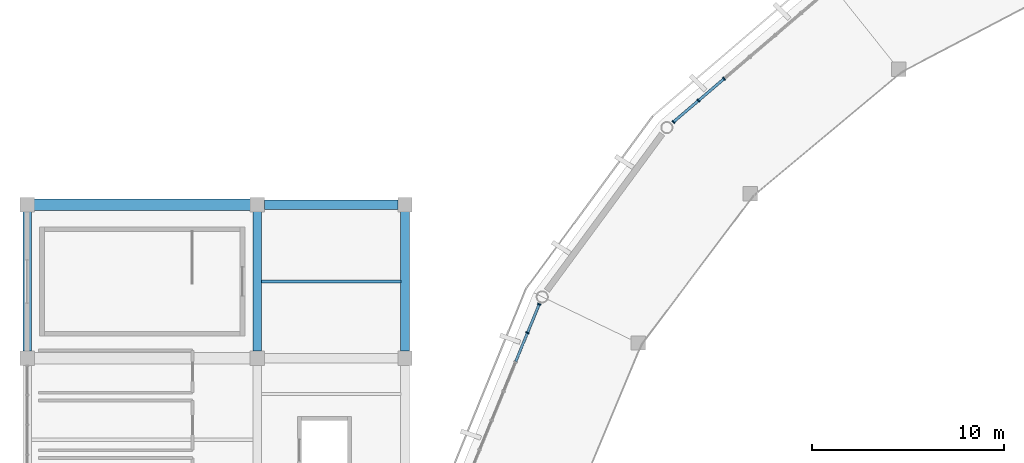
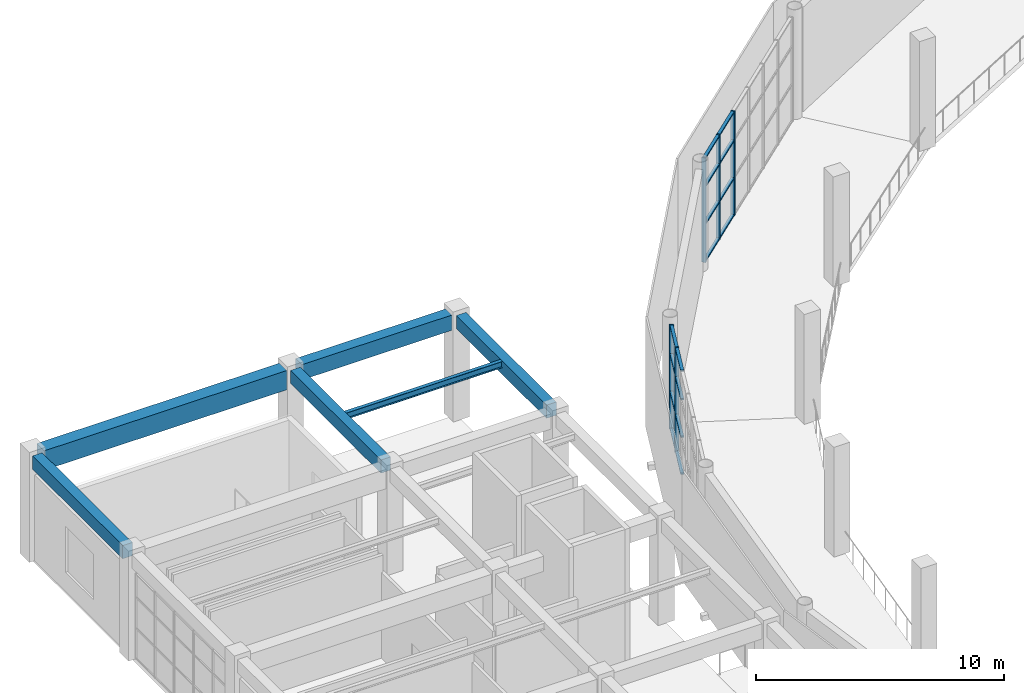
# One storey, part 16 of 40: 21 members, 6 beams, 2 elements without a shape of their own.
"""IFC4 building model written with IfcOpenShell, lengths in metres."""

from ifc_helpers import new_model, si_unit, direction, frame, origin, origin_2d, place, context, subcontext, project, spatial, rectangle, i_section, extrude, material, material_profile, profile_set, type_object, element, aggregate, save


model = new_model("IFC4")

# Units and contexts
model_context = context("Model", 3, precision=1e-05, world=origin(), true_north=direction((0.0, 1.0)))
body_context = subcontext(model_context, "Body", "Model", "MODEL_VIEW")
ifc_project = project(units=[si_unit("LENGTHUNIT", "METRE"), si_unit("AREAUNIT", "SQUARE_METRE"), si_unit("VOLUMEUNIT", "CUBIC_METRE"), si_unit("PLANEANGLEUNIT", "RADIAN"), si_unit("MASSUNIT", "GRAM", prefix="KILO")], contexts=[model_context])

# Site, building, storey
site_placement = place(None, origin())
site = spatial("IfcSite", under=ifc_project, at=site_placement, CompositionType="ELEMENT")
building_placement = place(site_placement, origin())
building = spatial("IfcBuilding", under=site, at=building_placement, Name="Cuetzalor Civic Arena", CompositionType="ELEMENT")
storey_placement = place(building_placement, frame((0.0, 0.0, 26.39990234375)))
storey = spatial("IfcBuildingStorey", under=building, at=storey_placement, Name="L05", CompositionType="ELEMENT", Elevation=26.39990234375)

# Beams
ifc_material_1 = material(Name="Concrete C40/50", Category="concrete")
ifc_material_profile_1 = material_profile(ifc_material_1, rectangle(XDim=0.5, YDim=0.75, at=origin_2d()), Name="RC 500x750")
ifc_profile_set_1 = profile_set([ifc_material_profile_1], Name="Concrete C40/50")
beam_type_1 = type_object("IfcBeamType", Name="ConcreteFrameBeam_500x750", PredefinedType="BEAM", material=ifc_profile_set_1)
beam_1_placement = place(storey_placement, frame((-63.635009765625, 25.0, 4.80517578125), z_axis=(1.0, 0.0, 0.0), x_axis=(0.0, 1.0, 0.0)))
element("IfcBeam", 1, at=beam_1_placement, inside=storey, type_object=beam_type_1, Name="Frame Girder V4W-L05-X1222", PredefinedType="BEAM", context=body_context, shape_type="SweptSolid", body=[
    extrude(rectangle(XDim=0.5, YDim=0.75, at=origin_2d()), origin(), (0.0, 0.0, 1.0), 6.969970703125),
])
ifc_material_2 = material(Name="Concrete C40/50", Category="concrete")
ifc_material_profile_2 = material_profile(ifc_material_2, rectangle(XDim=0.60009765625, YDim=0.949951171875, at=origin_2d()), Name="RC 600x950")
ifc_profile_set_2 = profile_set([ifc_material_profile_2], Name="Concrete C40/50")
beam_type_2 = type_object("IfcBeamType", Name="ConcreteFrameBeam_600x950", PredefinedType="BEAM", material=ifc_profile_set_2)
beam_2_placement = place(storey_placement, frame((-75.635009765625, 25.0, 4.705078125), z_axis=(1.0, 0.0, 0.0), x_axis=(0.0, 1.0, 0.0)))
element("IfcBeam", 2, at=beam_2_placement, inside=storey, type_object=beam_type_2, Name="Frame Girder V4W-L05-X1221", PredefinedType="BEAM", context=body_context, shape_type="SweptSolid", body=[
    extrude(rectangle(XDim=0.60009765625, YDim=0.949951171875, at=origin_2d()), origin(), (0.0, 0.0, 1.0), 11.27001953125),
])
ifc_material_3 = material(Name="Concrete C40/50", Category="concrete")
ifc_material_profile_3 = material_profile(ifc_material_3, rectangle(XDim=0.449951171875, YDim=0.64990234375, at=origin_2d()), Name="RC 450x650")
ifc_profile_set_3 = profile_set([ifc_material_profile_3], Name="Concrete C40/50")
beam_type_3 = type_object("IfcBeamType", Name="ConcreteTieBeam_450x650", PredefinedType="BEAM", material=ifc_profile_set_3)
for number, where, z_axis, x_axis, name in (
    (3, (-76.0, 17.364990234375, 4.85498046875), (0.0, 1.0, 0.0), (-1.0, 0.0, 0.0), "Frame Girder V4W-L05-Y1229"),
    (4, (-64.0, 17.364990234375, 4.85498046875), (0.0, 1.0, 0.0), (-1.0, 0.0, 0.0), "Frame Girder V4W-L05-Y1236"),
    (5, (-56.300048828125, 17.364990234375, 4.85498046875), (0.0, 1.0, 0.0), (-1.0, 0.0, 0.0), "Frame Girder V4W-L05-Y1243"),
):
    element("IfcBeam", number, at=place(storey_placement, frame(where, z_axis=z_axis, x_axis=x_axis)), inside=storey, type_object=beam_type_3, Name=name, PredefinedType="BEAM", context=body_context, shape_type="SweptSolid", body=[
        extrude(rectangle(XDim=0.449951171875, YDim=0.64990234375, at=origin_2d()), origin(), (0.0, 0.0, 1.0), 7.27001953125),
    ])

# Curtain wall, members
ifc_material_4 = material(Name="Anodised dark bronze aluminium and low-E solar glass", Category="aluminium")
curtain_wall_type_1 = type_object("IfcCurtainWallType", Name="UnitisedCW_10550x5150", PredefinedType="USERDEFINED", material=ifc_material_4)
curtain_wall_1_placement = place(storey_placement, origin())
curtain_wall_1 = element("IfcCurtainWall", 6, at=curtain_wall_1_placement, inside=storey, type_object=curtain_wall_type_1, Name="Drum Triangle Foyer Curtain Wall L05-073", ObjectType="UNITISED CURTAIN WALL", PredefinedType="USERDEFINED")
ifc_material_5 = material(Name="Anodised dark bronze aluminium", Category="aluminium")
ifc_material_profile_4 = material_profile(ifc_material_5, rectangle(XDim=0.070068359375, YDim=0.179931640625, at=origin_2d()), Name="ALU MULLION 70x180")
ifc_profile_set_4 = profile_set([ifc_material_profile_4], Name="Anodised dark bronze aluminium")
member_type_1 = type_object("IfcMemberType", Name="CurtainWallMullion_65x180", PredefinedType="MULLION", material=ifc_profile_set_4)
member_1_placement = place(storey_placement, frame((-42.308837890625, 29.313720703125, 0.0), z_axis=(0.0, 0.0, 1.0), x_axis=(0.760677142663, 0.64913040649, 0.0)))
member_1 = element("IfcMember", 7, at=member_1_placement, type_object=member_type_1, Name="CW-22 mullion 1", PredefinedType="MULLION", context=body_context, shape_type="SweptSolid", body=[
    extrude(rectangle(XDim=0.070068359375, YDim=0.179931640625, at=origin_2d()), origin(), (0.0, 0.0, 1.0), 5.135986328125),
])
member_2_placement = place(storey_placement, frame((-41.00048828125, 30.43017578125, 0.0), z_axis=(0.0, 0.0, 1.0), x_axis=(0.760677142663, 0.64913040649, 0.0)))
member_2 = element("IfcMember", 8, at=member_2_placement, type_object=member_type_1, Name="CW-22 mullion 2", PredefinedType="MULLION", context=body_context, shape_type="SweptSolid", body=[
    extrude(rectangle(XDim=0.070068359375, YDim=0.179931640625, at=origin_2d()), origin(), (0.0, 0.0, 1.0), 5.135986328125),
])
member_3_placement = place(storey_placement, frame((-39.665283203125, 31.569580078125, 0.0), z_axis=(0.0, 0.0, 1.0), x_axis=(0.760677142663, 0.64913040649, 0.0)))
member_3 = element("IfcMember", 9, at=member_3_placement, type_object=member_type_1, Name="CW-22 mullion 3", PredefinedType="MULLION", context=body_context, shape_type="SweptSolid", body=[
    extrude(rectangle(XDim=0.070068359375, YDim=0.179931640625, at=origin_2d()), origin(), (0.0, 0.0, 1.0), 5.135986328125),
])

ifc_material_6 = material(Name="Anodised dark bronze aluminium and low-E solar glass", Category="aluminium")
curtain_wall_type_2 = type_object("IfcCurtainWallType", Name="UnitisedCW_9850x5150", PredefinedType="USERDEFINED", material=ifc_material_6)
curtain_wall_2_placement = place(storey_placement, origin())
curtain_wall_2 = element("IfcCurtainWall", 10, at=curtain_wall_2_placement, inside=storey, type_object=curtain_wall_type_2, Name="Drum Triangle Foyer Curtain Wall L05-074", ObjectType="UNITISED CURTAIN WALL", PredefinedType="USERDEFINED")
member_4_placement = place(storey_placement, frame((-49.916259765625, 18.3232421875, 0.0), z_axis=(0.0, 0.0, 1.0), x_axis=(0.379391428583, 0.925236263836, 0.0)))
member_4 = element("IfcMember", 11, at=member_4_placement, type_object=member_type_1, Name="CW-23 mullion 6", PredefinedType="MULLION", context=body_context, shape_type="SweptSolid", body=[
    extrude(rectangle(XDim=0.070068359375, YDim=0.179931640625, at=origin_2d()), origin(), (0.0, 0.0, 1.0), 5.135986328125),
])
member_5_placement = place(storey_placement, frame((-49.30517578125, 19.8134765625, 0.0), z_axis=(0.0, 0.0, 1.0), x_axis=(0.379391428583, 0.925236263836, 0.0)))
member_5 = element("IfcMember", 12, at=member_5_placement, type_object=member_type_1, Name="CW-23 mullion 7", PredefinedType="MULLION", context=body_context, shape_type="SweptSolid", body=[
    extrude(rectangle(XDim=0.070068359375, YDim=0.179931640625, at=origin_2d()), origin(), (0.0, 0.0, 1.0), 5.135986328125),
])

# Member
ifc_material_7 = material(Name="Anodised dark bronze aluminium", Category="aluminium")
ifc_material_profile_5 = material_profile(ifc_material_7, rectangle(XDim=0.139892578125, YDim=0.070068359375, at=origin_2d()), Name="ALU TRANSOM 70x140")
ifc_profile_set_5 = profile_set([ifc_material_profile_5], Name="Anodised dark bronze aluminium")
member_type_2 = type_object("IfcMemberType", Name="CurtainWallTransom_65x140", PredefinedType="USERDEFINED", material=ifc_profile_set_5)
member_6_placement = place(storey_placement, frame((-42.2822265625, 29.33642578125, 0.03515625), z_axis=(0.760685671195, 0.64912041228, 0.0), x_axis=(-0.64912041228, 0.760685671195, 0.0)))
member_6 = element("IfcMember", 13, at=member_6_placement, type_object=member_type_2, Name="CW-22 transom 1.1", ObjectType="TRANSOM", PredefinedType="USERDEFINED", context=body_context, shape_type="SweptSolid", body=[
    extrude(rectangle(XDim=0.139892578125, YDim=0.070068359375, at=origin_2d()), origin(), (0.0, 0.0, 1.0), 1.64990234375),
])

member_7_placement = place(storey_placement, frame((-42.2822265625, 29.33642578125, 1.84912109375), z_axis=(0.760685671195, 0.64912041228, 0.0), x_axis=(-0.64912041228, 0.760685671195, 0.0)))
member_7 = element("IfcMember", 14, at=member_7_placement, type_object=member_type_2, Name="CW-22 transom 1.2", ObjectType="TRANSOM", PredefinedType="USERDEFINED", context=body_context, shape_type="SweptSolid", body=[
    extrude(rectangle(XDim=0.139892578125, YDim=0.070068359375, at=origin_2d()), origin(), (0.0, 0.0, 1.0), 1.64990234375),
])

member_8_placement = place(storey_placement, frame((-42.2822265625, 29.33642578125, 3.697998046875), z_axis=(0.760685671195, 0.64912041228, 0.0), x_axis=(-0.64912041228, 0.760685671195, 0.0)))
member_8 = element("IfcMember", 15, at=member_8_placement, type_object=member_type_2, Name="CW-22 transom 1.3", ObjectType="TRANSOM", PredefinedType="USERDEFINED", context=body_context, shape_type="SweptSolid", body=[
    extrude(rectangle(XDim=0.139892578125, YDim=0.070068359375, at=origin_2d()), origin(), (0.0, 0.0, 1.0), 1.64990234375),
])

member_9_placement = place(storey_placement, frame((-42.2822265625, 29.33642578125, 5.10107421875), z_axis=(0.760685671195, 0.64912041228, 0.0), x_axis=(-0.64912041228, 0.760685671195, 0.0)))
member_9 = element("IfcMember", 16, at=member_9_placement, type_object=member_type_2, Name="CW-22 transom 1.4", ObjectType="TRANSOM", PredefinedType="USERDEFINED", context=body_context, shape_type="SweptSolid", body=[
    extrude(rectangle(XDim=0.139892578125, YDim=0.070068359375, at=origin_2d()), origin(), (0.0, 0.0, 1.0), 1.64990234375),
])

member_10_placement = place(storey_placement, frame((-40.973876953125, 30.452880859375, 0.03515625), z_axis=(0.760676154185, 0.649131564826, 0.0), x_axis=(-0.649131564826, 0.760676154185, 0.0)))
member_10 = element("IfcMember", 17, at=member_10_placement, type_object=member_type_2, Name="CW-22 transom 2.1", ObjectType="TRANSOM", PredefinedType="USERDEFINED", context=body_context, shape_type="SweptSolid", body=[
    extrude(rectangle(XDim=0.139892578125, YDim=0.070068359375, at=origin_2d()), origin(), (0.0, 0.0, 1.0), 1.685302734375),
])

member_11_placement = place(storey_placement, frame((-40.973876953125, 30.452880859375, 1.84912109375), z_axis=(0.760676154185, 0.649131564826, 0.0), x_axis=(-0.649131564826, 0.760676154185, 0.0)))
member_11 = element("IfcMember", 18, at=member_11_placement, type_object=member_type_2, Name="CW-22 transom 2.2", ObjectType="TRANSOM", PredefinedType="USERDEFINED", context=body_context, shape_type="SweptSolid", body=[
    extrude(rectangle(XDim=0.139892578125, YDim=0.070068359375, at=origin_2d()), origin(), (0.0, 0.0, 1.0), 1.685302734375),
])

member_12_placement = place(storey_placement, frame((-40.973876953125, 30.452880859375, 3.697998046875), z_axis=(0.760676154185, 0.649131564826, 0.0), x_axis=(-0.649131564826, 0.760676154185, 0.0)))
member_12 = element("IfcMember", 19, at=member_12_placement, type_object=member_type_2, Name="CW-22 transom 2.3", ObjectType="TRANSOM", PredefinedType="USERDEFINED", context=body_context, shape_type="SweptSolid", body=[
    extrude(rectangle(XDim=0.139892578125, YDim=0.070068359375, at=origin_2d()), origin(), (0.0, 0.0, 1.0), 1.685302734375),
])

member_13_placement = place(storey_placement, frame((-40.973876953125, 30.452880859375, 5.10107421875), z_axis=(0.760676154185, 0.649131564826, 0.0), x_axis=(-0.649131564826, 0.760676154185, 0.0)))
member_13 = element("IfcMember", 20, at=member_13_placement, type_object=member_type_2, Name="CW-22 transom 2.4", ObjectType="TRANSOM", PredefinedType="USERDEFINED", context=body_context, shape_type="SweptSolid", body=[
    extrude(rectangle(XDim=0.139892578125, YDim=0.070068359375, at=origin_2d()), origin(), (0.0, 0.0, 1.0), 1.685302734375),
])

aggregate(curtain_wall_1, [member_1, member_2, member_3, member_6, member_7, member_8, member_9, member_10, member_11, member_12, member_13])

member_14_placement = place(storey_placement, frame((-50.52734375, 16.832763671875, 0.03515625), z_axis=(0.379284307452, 0.925280181416, 0.0), x_axis=(-0.925280181416, 0.379284307452, 0.0)))
member_14 = element("IfcMember", 21, at=member_14_placement, type_object=member_type_2, Name="CW-23 transom 5.1", ObjectType="TRANSOM", PredefinedType="USERDEFINED", context=body_context, shape_type="SweptSolid", body=[
    extrude(rectangle(XDim=0.139892578125, YDim=0.070068359375, at=origin_2d()), origin(), (0.0, 0.0, 1.0), 1.57568359375),
])

member_15_placement = place(storey_placement, frame((-50.52734375, 16.832763671875, 1.84912109375), z_axis=(0.379284307452, 0.925280181416, 0.0), x_axis=(-0.925280181416, 0.379284307452, 0.0)))
member_15 = element("IfcMember", 22, at=member_15_placement, type_object=member_type_2, Name="CW-23 transom 5.2", ObjectType="TRANSOM", PredefinedType="USERDEFINED", context=body_context, shape_type="SweptSolid", body=[
    extrude(rectangle(XDim=0.139892578125, YDim=0.070068359375, at=origin_2d()), origin(), (0.0, 0.0, 1.0), 1.57568359375),
])

member_16_placement = place(storey_placement, frame((-50.52734375, 16.832763671875, 3.697998046875), z_axis=(0.379284307452, 0.925280181416, 0.0), x_axis=(-0.925280181416, 0.379284307452, 0.0)))
member_16 = element("IfcMember", 23, at=member_16_placement, type_object=member_type_2, Name="CW-23 transom 5.3", ObjectType="TRANSOM", PredefinedType="USERDEFINED", context=body_context, shape_type="SweptSolid", body=[
    extrude(rectangle(XDim=0.139892578125, YDim=0.070068359375, at=origin_2d()), origin(), (0.0, 0.0, 1.0), 1.57568359375),
])

member_17_placement = place(storey_placement, frame((-50.52734375, 16.832763671875, 5.10107421875), z_axis=(0.379284307452, 0.925280181416, 0.0), x_axis=(-0.925280181416, 0.379284307452, 0.0)))
member_17 = element("IfcMember", 24, at=member_17_placement, type_object=member_type_2, Name="CW-23 transom 5.4", ObjectType="TRANSOM", PredefinedType="USERDEFINED", context=body_context, shape_type="SweptSolid", body=[
    extrude(rectangle(XDim=0.139892578125, YDim=0.070068359375, at=origin_2d()), origin(), (0.0, 0.0, 1.0), 1.57568359375),
])

member_18_placement = place(storey_placement, frame((-49.903076171875, 18.35546875, 0.03515625), z_axis=(0.379354637702, 0.925251349015, 0.0), x_axis=(-0.925251349015, 0.379354637702, 0.0)))
member_18 = element("IfcMember", 25, at=member_18_placement, type_object=member_type_2, Name="CW-23 transom 6.1", ObjectType="TRANSOM", PredefinedType="USERDEFINED", context=body_context, shape_type="SweptSolid", body=[
    extrude(rectangle(XDim=0.139892578125, YDim=0.070068359375, at=origin_2d()), origin(), (0.0, 0.0, 1.0), 1.540771484375),
])

member_19_placement = place(storey_placement, frame((-49.903076171875, 18.35546875, 1.84912109375), z_axis=(0.379354637702, 0.925251349015, 0.0), x_axis=(-0.925251349015, 0.379354637702, 0.0)))
member_19 = element("IfcMember", 26, at=member_19_placement, type_object=member_type_2, Name="CW-23 transom 6.2", ObjectType="TRANSOM", PredefinedType="USERDEFINED", context=body_context, shape_type="SweptSolid", body=[
    extrude(rectangle(XDim=0.139892578125, YDim=0.070068359375, at=origin_2d()), origin(), (0.0, 0.0, 1.0), 1.540771484375),
])

member_20_placement = place(storey_placement, frame((-49.903076171875, 18.35546875, 3.697998046875), z_axis=(0.379354637702, 0.925251349015, 0.0), x_axis=(-0.925251349015, 0.379354637702, 0.0)))
member_20 = element("IfcMember", 27, at=member_20_placement, type_object=member_type_2, Name="CW-23 transom 6.3", ObjectType="TRANSOM", PredefinedType="USERDEFINED", context=body_context, shape_type="SweptSolid", body=[
    extrude(rectangle(XDim=0.139892578125, YDim=0.070068359375, at=origin_2d()), origin(), (0.0, 0.0, 1.0), 1.540771484375),
])

member_21_placement = place(storey_placement, frame((-49.903076171875, 18.35546875, 5.10107421875), z_axis=(0.379354637702, 0.925251349015, 0.0), x_axis=(-0.925251349015, 0.379354637702, 0.0)))
member_21 = element("IfcMember", 28, at=member_21_placement, type_object=member_type_2, Name="CW-23 transom 6.4", ObjectType="TRANSOM", PredefinedType="USERDEFINED", context=body_context, shape_type="SweptSolid", body=[
    extrude(rectangle(XDim=0.139892578125, YDim=0.070068359375, at=origin_2d()), origin(), (0.0, 0.0, 1.0), 1.540771484375),
])

aggregate(curtain_wall_2, [member_4, member_5, member_14, member_15, member_16, member_17, member_18, member_19, member_20, member_21])

# Beam
ifc_material_8 = material(Name="Steel S355", Category="steel")
ifc_material_profile_6 = material_profile(ifc_material_8, i_section(OverallWidth=0.166015625, OverallDepth=0.31298828125, WebThickness=0.006591796875, FlangeThickness=0.01123046875, at=origin_2d()), Name="W310x45")
ifc_profile_set_6 = profile_set([ifc_material_profile_6], Name="Steel S355")
beam_type_4 = type_object("IfcBeamType", Name="SecondaryRoofJoist_W310", PredefinedType="JOIST", material=ifc_profile_set_6)
beam_3_placement = place(storey_placement, frame((-63.782958984375, 21.0, 5.023681640625), z_axis=(1.0, 0.0, 0.0), x_axis=(0.0, 1.0, 0.0)))
element("IfcBeam", 29, at=beam_3_placement, inside=storey, type_object=beam_type_4, Name="Secondary Floor Joist V4W-L05-0388", PredefinedType="JOIST", context=body_context, shape_type="SweptSolid", body=[
    extrude(i_section(OverallWidth=0.166015625, OverallDepth=0.31298828125, WebThickness=0.006591796875, FlangeThickness=0.01123046875, at=origin_2d()), origin(), (0.0, 0.0, 1.0), 7.265869140625),
])

save(model, "model.ifc")
